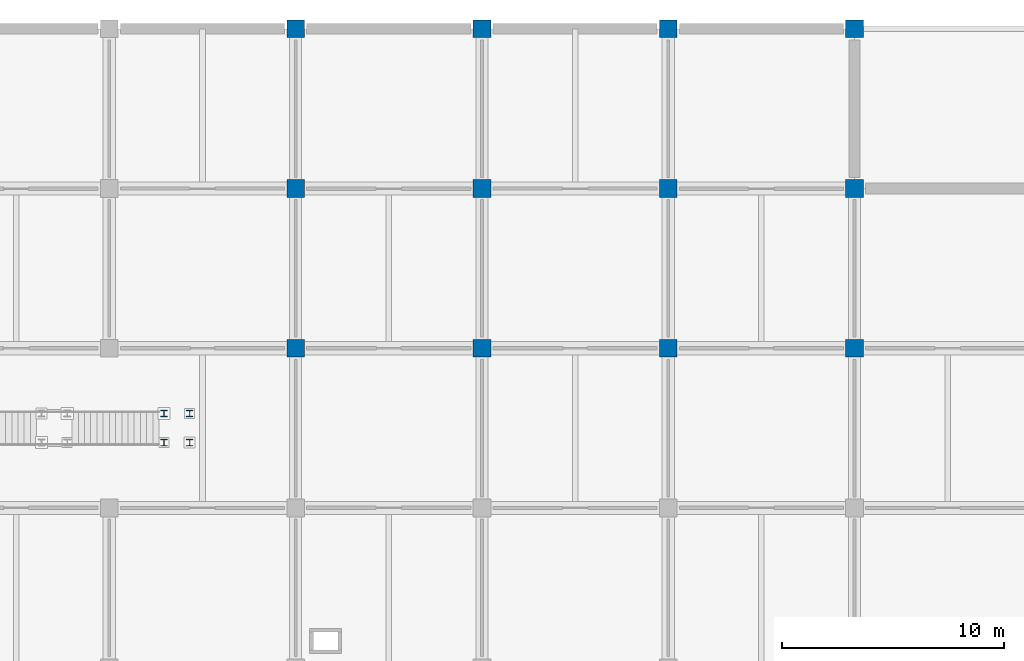
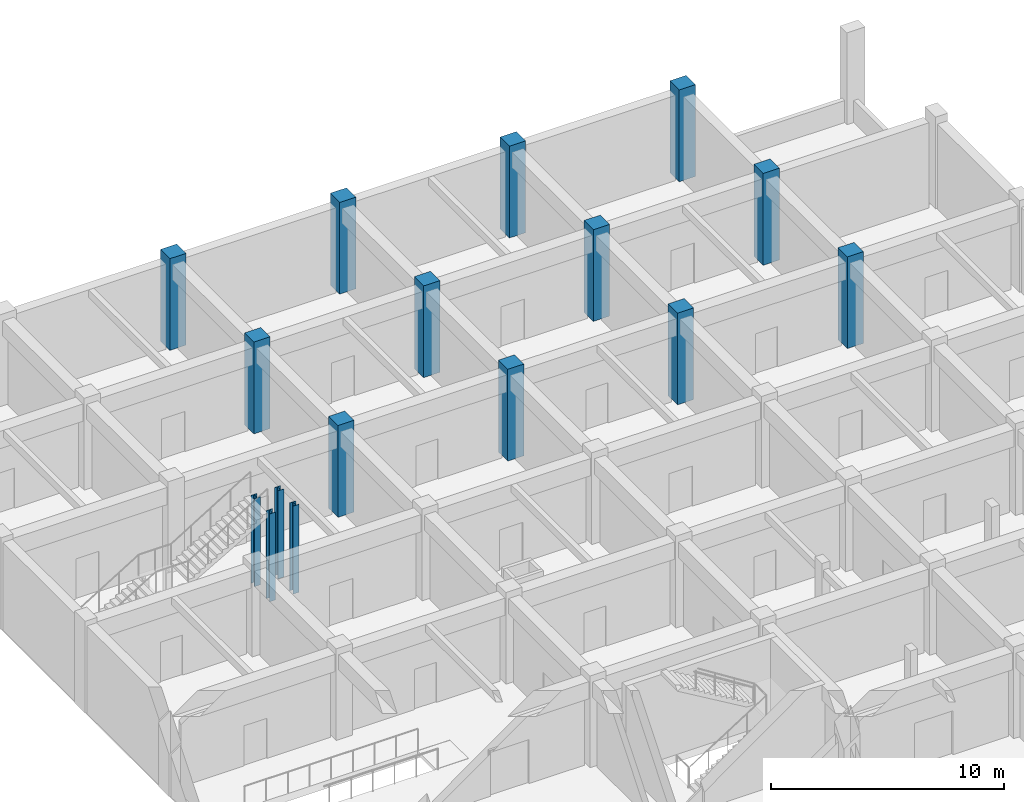
# One storey, part 6 of 32: 16 columns.
"""IFC4 building model written with IfcOpenShell, lengths in metres."""

import ifcopenshell
import ifcopenshell.guid

model = None  # the IFC model being written
_history = None  # IfcOwnerHistory: only IFC2X3 demands one
_inside = {}  # id of a spatial element -> (the spatial element, [elements in it])
_under = {}  # id of a project, library or spatial element -> (it, [spatial elements below it])
_declared = {}  # id of a project -> (the project, [libraries it declares])
_typed = {}  # id of a type object -> (the type object, [elements of that type])
_made_of = {}  # id of a material, layer set ... -> (it, [elements and type objects made of it])


def new_model(schema):
    """Start an empty IFC model of exactly this schema.

    Asked for "IFC4X3", IfcOpenShell would pick the latest addendum, in which some entities
    have other attributes; the version numbers below select the first issue.
    IFC2X3 requires an IfcOwnerHistory on every rooted entity: one is made here for all.
    """
    global model, _history
    if schema == "IFC4X3":
        model = ifcopenshell.file(schema_version=(4, 3, 0, 0))
    else:
        model = ifcopenshell.file(schema=schema)
    _inside.clear()
    _under.clear()
    _declared.clear()
    _typed.clear()
    _made_of.clear()
    _history = None
    if model.schema == "IFC2X3":
        org = make("IfcOrganization", Name="unknown")
        user = make(
            "IfcPersonAndOrganization",
            ThePerson=make("IfcPerson", FamilyName="unknown"),
            TheOrganization=org,
        )
        app = make(
            "IfcApplication",
            ApplicationDeveloper=org,
            Version="unknown",
            ApplicationFullName="unknown",
            ApplicationIdentifier="unknown",
        )
        _history = make(
            "IfcOwnerHistory",
            OwningUser=user,
            OwningApplication=app,
            ChangeAction="ADDED",
            CreationDate=0,
        )
    return model


def make(cls, **values):
    """One entity of the class cls with the attributes given. An attribute that is None is left unset."""
    return model.create_entity(
        cls, **{name: value for name, value in values.items() if value is not None}
    )


def rooted(cls, **values):
    """An entity with a GlobalId (a new one), such as an element, a storey or a relation."""
    return make(cls, GlobalId=ifcopenshell.guid.new(), OwnerHistory=_history, **values)


def si_unit(unit_type, name, prefix=None):
    """IfcSIUnit, for example si_unit("LENGTHUNIT", "METRE", prefix="MILLI")."""
    return make("IfcSIUnit", UnitType=unit_type, Prefix=prefix, Name=name)


def derived_unit(unit_type, elements):
    """IfcDerivedUnit: a product of units, each with its exponent."""
    return make(
        "IfcDerivedUnit",
        Elements=[
            make("IfcDerivedUnitElement", Unit=unit, Exponent=power)
            for unit, power in elements
        ],
        UnitType=unit_type,
    )


def assignment(units):
    """IfcUnitAssignment: the units of a project."""
    return None if units is None else make("IfcUnitAssignment", Units=units)


def point(xyz):
    """IfcCartesianPoint."""
    return None if xyz is None else make("IfcCartesianPoint", Coordinates=xyz)


def direction(xyz):
    """IfcDirection."""
    return None if xyz is None else make("IfcDirection", DirectionRatios=xyz)


def frame(location, z_axis=None, x_axis=None):
    """IfcAxis2Placement3D, a coordinate frame: its origin and axes. An axis left out is left unset."""
    return make(
        "IfcAxis2Placement3D",
        Location=point(location),
        Axis=direction(z_axis),
        RefDirection=direction(x_axis),
    )


def frame_2d(location, x_axis=None):
    """IfcAxis2Placement2D, a coordinate frame in the plane: its origin and x axis."""
    return make(
        "IfcAxis2Placement2D", Location=point(location), RefDirection=direction(x_axis)
    )


def origin():
    """The frame at (0, 0, 0) with its axes left unset."""
    return frame((0.0, 0.0, 0.0))


def origin_2d():
    """The frame at (0, 0) in the plane with its x axis left unset."""
    return frame_2d((0.0, 0.0))


def place(relative_to, where):
    """IfcLocalPlacement: puts the frame where relative to a parent placement (None: the world)."""
    return make(
        "IfcLocalPlacement", PlacementRelTo=relative_to, RelativePlacement=where
    )


def context(
    kind, dimensions, precision=None, world=None, true_north=None, identifier=None
):
    """IfcGeometricRepresentationContext, for example the 3D "Model" context."""
    return make(
        "IfcGeometricRepresentationContext",
        ContextIdentifier=identifier,
        ContextType=kind,
        CoordinateSpaceDimension=dimensions,
        Precision=precision,
        WorldCoordinateSystem=world,
        TrueNorth=true_north,
    )


def subcontext(parent, identifier, kind, view, scale=None):
    """IfcGeometricRepresentationSubContext, for example "Body" below "Model"."""
    return make(
        "IfcGeometricRepresentationSubContext",
        ContextIdentifier=identifier,
        ContextType=kind,
        ParentContext=parent,
        TargetScale=scale,
        TargetView=view,
    )


def project(units=None, contexts=None):
    """IfcProject with its units and contexts."""
    return rooted(
        "IfcProject",
        Name="project",
        RepresentationContexts=contexts,
        UnitsInContext=assignment(units),
    )


def spatial(cls, under=None, at=None, **own):
    """A site, building, storey or space (cls), placed at a placement, below another one or the project."""
    s = rooted(cls, ObjectPlacement=at, **own)
    if under is not None:
        _under.setdefault(under.id(), (under, []))[1].append(s)
    return s


def profile(cls, at=None, kind="AREA", **sizes):
    """A parametric profile (cls). Its sizes go by their IFC names, for example OverallWidth=200.0."""
    return make(cls, ProfileType=kind, Position=at, **sizes)


def rectangle(**sizes):
    """IfcRectangleProfileDef."""
    return profile("IfcRectangleProfileDef", **sizes)


def i_section(**sizes):
    """IfcIShapeProfileDef."""
    return profile("IfcIShapeProfileDef", **sizes)


def extrude(swept, where, along, depth):
    """IfcExtrudedAreaSolid: the profile swept, set in the frame where, extruded along a direction by depth."""
    return make(
        "IfcExtrudedAreaSolid",
        SweptArea=swept,
        Position=where,
        ExtrudedDirection=direction(along),
        Depth=depth,
    )


def shape(context_of_items, identifier, shape_type, items):
    """IfcShapeRepresentation: the items that make up one representation, for example the "Body"."""
    return make(
        "IfcShapeRepresentation",
        ContextOfItems=context_of_items,
        RepresentationIdentifier=identifier,
        RepresentationType=shape_type,
        Items=items,
    )


def material(Name=None, Category=None):
    """IfcMaterial."""
    return make("IfcMaterial", Name=Name, Category=Category)


def material_profile(
    of_material, cross_section, Name=None, Category=None, Priority=None
):
    """IfcMaterialProfile: a cross section and its material."""
    return make(
        "IfcMaterialProfile",
        Name=Name,
        Material=of_material,
        Profile=cross_section,
        Priority=Priority,
        Category=Category,
    )


def profile_set(profiles, Name=None, composite=None):
    """IfcMaterialProfileSet."""
    return make(
        "IfcMaterialProfileSet",
        Name=Name,
        MaterialProfiles=profiles,
        CompositeProfile=composite,
    )


def made_of(thing, what):
    """Note that an element or type object is made of a material, layer set ...; save() writes the relation."""
    if what is not None:
        _made_of.setdefault(what.id(), (what, []))[1].append(thing)
    return thing


def type_object(cls, material=None, **own):
    """A type object (cls), such as IfcWallType, which elements share."""
    return made_of(rooted(cls, **own), material)


def element(
    cls,
    number,
    at=None,
    inside=None,
    cuts=None,
    type_object=None,
    material=None,
    context=None,
    identifier="Body",
    shape_type=None,
    held_by="IfcProductDefinitionShape",
    body=None,
    shapes=None,
    **own,
):
    """One element of the class cls, such as IfcWall. Its Tag is "e" and its number.

    at: its placement. inside: the storey or other place that contains it. cuts: it is an
    opening in that element (IfcRelVoidsElement). A single representation is given by context,
    identifier, shape_type and body (its items); several are given by shapes. held_by: the class
    of the entity that holds the representations. save() writes the other relations.
    """
    e = rooted(cls, Tag="e%d" % number, ObjectPlacement=at, **own)
    if body is not None:
        shapes = [shape(context, identifier, shape_type, body)]
    if shapes is not None:
        e.Representation = make(held_by, Representations=shapes)
    if inside is not None:
        _inside.setdefault(inside.id(), (inside, []))[1].append(e)
    if cuts is not None:
        rooted(
            "IfcRelVoidsElement", RelatingBuildingElement=cuts, RelatedOpeningElement=e
        )
    if type_object is not None:
        _typed.setdefault(type_object.id(), (type_object, []))[1].append(e)
    return made_of(e, material)


def aggregate(whole, parts):
    """IfcRelAggregates: a whole, such as a stair, and the parts it consists of."""
    return rooted("IfcRelAggregates", RelatingObject=whole, RelatedObjects=parts)


def save(model, path):
    """Write the relations noted so far, then the file.

    IfcRelAggregates (storeys below a building ...), IfcRelContainedInSpatialStructure (elements
    in a storey), IfcRelDefinesByType, IfcRelAssociatesMaterial and IfcRelDeclares: one each for
    every whole, place, type object, material and project.
    """
    for whole, parts in _under.values():
        aggregate(whole, parts)
    for where, things in _inside.values():
        rooted(
            "IfcRelContainedInSpatialStructure",
            RelatedElements=things,
            RelatingStructure=where,
        )
    for kind, things in _typed.values():
        rooted("IfcRelDefinesByType", RelatedObjects=things, RelatingType=kind)
    for what, things in _made_of.values():
        rooted("IfcRelAssociatesMaterial", RelatedObjects=things, RelatingMaterial=what)
    for by, libraries in _declared.values():
        rooted("IfcRelDeclares", RelatingContext=by, RelatedDefinitions=libraries)
    model.write(path)


model = new_model("IFC4")

# Units and contexts
model_context = context("Model", 3, precision=1e-05, world=origin(), true_north=direction((0.0, 1.0)))
body_context = subcontext(model_context, "Body", "Model", "MODEL_VIEW")
ifc_project = project(units=[si_unit("LENGTHUNIT", "METRE"), si_unit("AREAUNIT", "SQUARE_METRE"), si_unit("VOLUMEUNIT", "CUBIC_METRE"), si_unit("PLANEANGLEUNIT", "RADIAN"), si_unit("MASSUNIT", "GRAM", prefix="KILO"), derived_unit("THERMALTRANSMITTANCEUNIT", [(si_unit("MASSUNIT", "GRAM", prefix="KILO"), 1), (si_unit("TIMEUNIT", "SECOND"), -3), (si_unit("THERMODYNAMICTEMPERATUREUNIT", "KELVIN"), -1)])], contexts=[model_context])

# Site, building, storey
site_placement = place(None, origin())
site = spatial("IfcSite", under=ifc_project, at=site_placement, CompositionType="ELEMENT")
building_placement = place(site_placement, origin())
building = spatial("IfcBuilding", under=site, at=building_placement, Name="Veldstrom Oceanarium and Marine Research Institute", CompositionType="ELEMENT")
storey_placement = place(building_placement, frame((0.0, 0.0, -4.800048828125)))
storey = spatial("IfcBuildingStorey", under=building, at=storey_placement, Name="B01", CompositionType="ELEMENT", Elevation=-4.800048828125)

# Columns
ifc_material_1 = material(Name="Concrete C50/60", Category="concrete")
ifc_material_profile_1 = material_profile(ifc_material_1, rectangle(XDim=0.800048828125, YDim=0.800048828125, at=origin_2d()), Name="RC-COL-800x800")
ifc_profile_set_1 = profile_set([ifc_material_profile_1], Name="Concrete C50/60")
column_type_1 = type_object("IfcColumnType", Name="STR-COL-C04", PredefinedType="COLUMN", material=ifc_profile_set_1)
for number, where, z_axis, x_axis, name in (
    (1, (134.39990234375, 100.800048828125, 0.0), (0.0, 0.0, 1.0), (1.0, 0.0, 0.0), "Column C04 17/Q B01"),
    (2, (134.39990234375, 108.0, 0.0), (0.0, 0.0, 1.0), (1.0, 0.0, 0.0), "Column C04 17/R B01"),
    (3, (134.39990234375, 115.199951171875, 0.0), (0.0, 0.0, 1.0), (1.0, 0.0, 0.0), "Column C04 17/S B01"),
    (4, (142.800048828125, 100.800048828125, 0.0), (0.0, 0.0, 1.0), (1.0, 0.0, 0.0), "Column C04 18/Q B01"),
    (5, (142.800048828125, 108.0, 0.0), (0.0, 0.0, 1.0), (1.0, 0.0, 0.0), "Column C04 18/R B01"),
    (6, (142.800048828125, 115.199951171875, 0.0), (0.0, 0.0, 1.0), (1.0, 0.0, 0.0), "Column C04 18/S B01"),
    (7, (151.199951171875, 100.800048828125, 0.0), (0.0, 0.0, 1.0), (1.0, 0.0, 0.0), "Column C04 19/Q B01"),
    (8, (151.199951171875, 108.0, 0.0), (0.0, 0.0, 1.0), (1.0, 0.0, 0.0), "Column C04 19/R B01"),
    (9, (151.199951171875, 115.199951171875, 0.0), (0.0, 0.0, 1.0), (1.0, 0.0, 0.0), "Column C04 19/S B01"),
    (10, (159.60009765625, 100.800048828125, 0.0), (0.0, 0.0, 1.0), (1.0, 0.0, 0.0), "Column C04 20/Q B01"),
    (11, (159.60009765625, 108.0, 0.0), (0.0, 0.0, 1.0), (1.0, 0.0, 0.0), "Column C04 20/R B01"),
    (12, (159.60009765625, 115.199951171875, 0.0), (0.0, 0.0, 1.0), (1.0, 0.0, 0.0), "Column C04 20/S B01"),
):
    element("IfcColumn", number, at=place(storey_placement, frame(where, z_axis=z_axis, x_axis=x_axis)), inside=storey, type_object=column_type_1, Name=name, PredefinedType="COLUMN", context=body_context, shape_type="SweptSolid", body=[
        extrude(rectangle(XDim=0.800048828125, YDim=0.800048828125, at=origin_2d()), origin(), (0.0, 0.0, 1.0), 4.800048828125),
    ])
ifc_material_2 = material(Name="Steel S355JR", Category="steel")
ifc_material_profile_2 = material_profile(ifc_material_2, i_section(OverallWidth=0.300048828125, OverallDepth=0.300048828125, WebThickness=0.010986328125, FlangeThickness=0.01904296875, FilletRadius=0.027099609375, at=origin_2d()), Name="HEB 300")
ifc_profile_set_2 = profile_set([ifc_material_profile_2], Name="Steel S355JR")
column_type_2 = type_object("IfcColumnType", Name="STR-COL-C16", PredefinedType="COLUMN", material=ifc_profile_set_2)
for number, where, z_axis, x_axis, name in (
    (13, (128.4599609375, 96.544921875, 0.0), (0.0, 0.0, 1.0), (1.0, 0.0, 0.0), "Gallery Stair TOP Column ST5-06-B01-1"),
    (14, (129.6201171875, 96.544921875, 0.0), (0.0, 0.0, 1.0), (1.0, 0.0, 0.0), "Gallery Stair TOP Column ST5-06-B01-2"),
    (15, (128.4599609375, 97.85498046875, 0.0), (0.0, 0.0, 1.0), (1.0, 0.0, 0.0), "Gallery Stair TOP Column ST5-06-B01-3"),
    (16, (129.6201171875, 97.85498046875, 0.0), (0.0, 0.0, 1.0), (1.0, 0.0, 0.0), "Gallery Stair TOP Column ST5-06-B01-4"),
):
    element("IfcColumn", number, at=place(storey_placement, frame(where, z_axis=z_axis, x_axis=x_axis)), inside=storey, type_object=column_type_2, Name=name, PredefinedType="COLUMN", context=body_context, shape_type="SweptSolid", body=[
        extrude(i_section(OverallWidth=0.300048828125, OverallDepth=0.300048828125, WebThickness=0.010986328125, FlangeThickness=0.01904296875, FilletRadius=0.027099609375, at=origin_2d()), origin(), (0.0, 0.0, 1.0), 4.60009765625),
    ])

save(model, "model.ifc")
